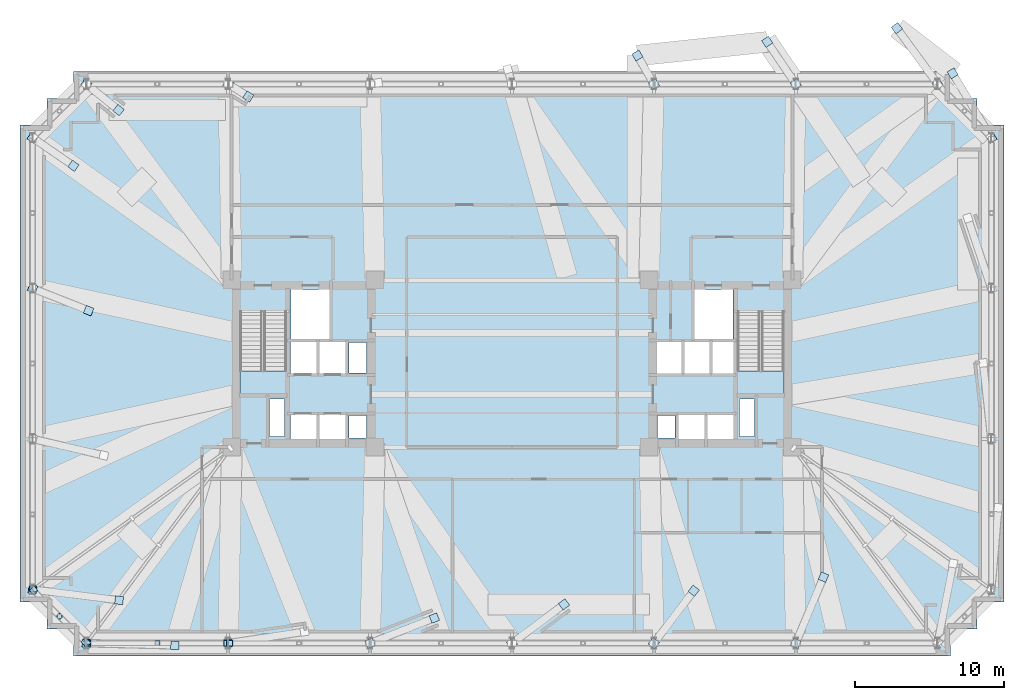
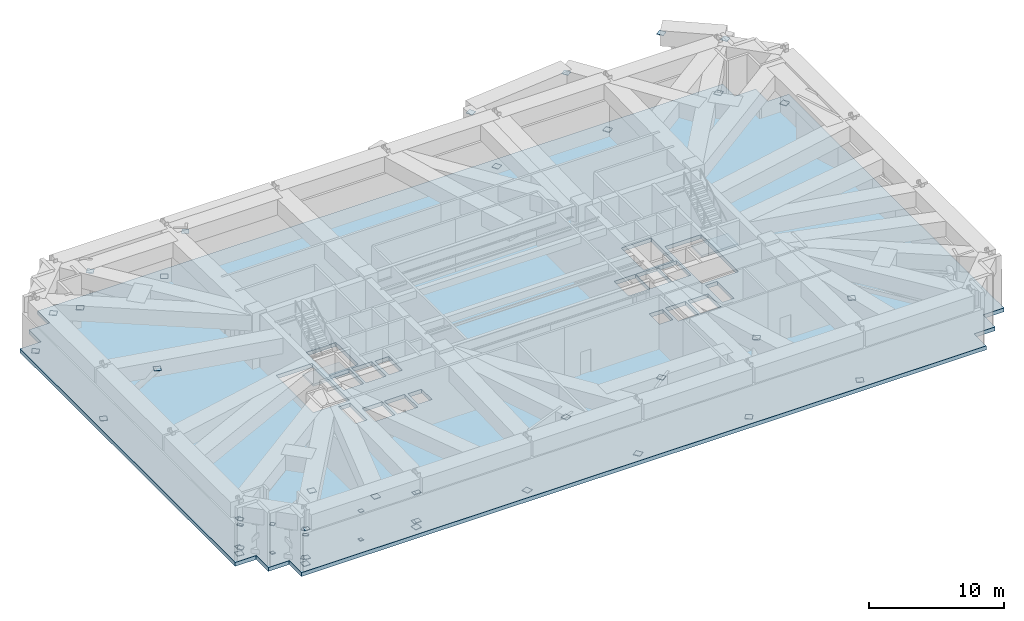
# One storey, part 12 of 20: 47 plates, 3 slabs, 2 elements without a shape of their own.
"""IFC4 building model written with IfcOpenShell, lengths in metres."""

from ifc_helpers import new_model, si_unit, direction, frame, origin, origin_2d, place, context, subcontext, project, spatial, polyline, rectangle, outline, extrude, material, layer, layer_set, type_object, element, aggregate, save


model = new_model("IFC4")

# Units and contexts
model_context = context("Model", 3, precision=1e-05, world=origin(), true_north=direction((0.0, 1.0)))
body_context = subcontext(model_context, "Body", "Model", "MODEL_VIEW")
ifc_project = project(units=[si_unit("LENGTHUNIT", "METRE"), si_unit("AREAUNIT", "SQUARE_METRE"), si_unit("VOLUMEUNIT", "CUBIC_METRE"), si_unit("PLANEANGLEUNIT", "RADIAN"), si_unit("MASSUNIT", "GRAM", prefix="KILO")], contexts=[model_context])

# Site, building, storey
site_placement = place(None, origin())
site = spatial("IfcSite", under=ifc_project, at=site_placement, CompositionType="ELEMENT")
building_placement = place(site_placement, origin())
building = spatial("IfcBuilding", under=site, at=building_placement, Name="Qobustan Lattice House", CompositionType="ELEMENT")
storey_placement = place(building_placement, frame((0.0, 0.0, 73.89990234375)))
storey = spatial("IfcBuildingStorey", under=building, at=storey_placement, Name="L20", CompositionType="ELEMENT", Elevation=73.89990234375)

# Plates
ifc_material_1 = material(Name="Steel S355", Category="steel")
ifc_layer_1 = layer(ifc_material_1, 0.030029296875)
ifc_layer_set_1 = layer_set([ifc_layer_1], Name="Steel S355")
plate_type = type_object("IfcPlateType", Name="PLT-CAP-25", PredefinedType="SHEET", material=ifc_layer_set_1)
for number, where, z_axis, x_axis, name in (
    (1, (-28.455078125, -18.75, 0.53515625), (0.0, 0.0, 1.0), (1.0, 0.0, 0.0), "L20 TT1 belt truss bottom chord S1-S2 end cap plate 1"),
    (2, (-19.12841796875, -18.75, 0.53515625), (0.0, 0.0, 1.0), (1.0, 0.0, 0.0), "L20 TT1 belt truss bottom chord S1-S2 end cap plate 2"),
):
    element("IfcPlate", number, at=place(storey_placement, frame(where, z_axis=z_axis, x_axis=x_axis)), inside=storey, type_object=plate_type, Name=name, PredefinedType="SHEET", context=body_context, shape_type="SweptSolid", body=[
        extrude(rectangle(XDim=0.43994140625, YDim=0.43994140625, at=origin_2d()), origin(), (0.0, 0.0, 1.0), 0.030029296875),
    ])
for number, where, z_axis, x_axis, name in (
    (3, (-28.455078125, -18.75, 3.125), (0.0, 0.0, 1.0), (1.0, 0.0, 0.0), "L20 TT1 belt truss top chord S1-S2 end cap plate 1"),
    (4, (-19.12841796875, -18.75, 3.125), (0.0, 0.0, 1.0), (1.0, 0.0, 0.0), "L20 TT1 belt truss top chord S1-S2 end cap plate 2"),
):
    element("IfcPlate", number, at=place(storey_placement, frame(where, z_axis=z_axis, x_axis=x_axis)), inside=storey, type_object=plate_type, Name=name, PredefinedType="SHEET", context=body_context, shape_type="SweptSolid", body=[
        extrude(rectangle(XDim=0.389892578125, YDim=0.389892578125, at=origin_2d()), origin(), (0.0, 0.0, 1.0), 0.030029296875),
    ])
plate_1_placement = place(storey_placement, frame((-23.787109375, -18.75, 3.12744140625), z_axis=(0.0, 0.0, 1.0), x_axis=(1.0, 0.0, 0.0)))
element("IfcPlate", 5, at=plate_1_placement, inside=storey, type_object=plate_type, Name="L20 TT1 belt truss web diagonal S1-S2 A end cap plate 2", PredefinedType="SHEET", context=body_context, shape_type="SweptSolid", body=[
    extrude(rectangle(XDim=0.340087890625, YDim=0.340087890625, at=origin_2d()), origin(), (0.0, 0.0, 1.0), 0.030029296875),
])
plate_2_placement = place(storey_placement, frame((-23.79150390625, -18.75, 0.5302734375), z_axis=(0.0, 0.0, 1.0), x_axis=(1.0, 0.0, 0.0)))
element("IfcPlate", 6, at=plate_2_placement, inside=storey, type_object=plate_type, Name="L20 TT1 belt truss vertical post S1-S2 end cap plate 1", PredefinedType="SHEET", context=body_context, shape_type="SweptSolid", body=[
    extrude(rectangle(XDim=0.2900390625, YDim=0.2900390625, at=origin_2d()), origin(), (0.0, 0.0, 1.0), 0.030029296875),
])
plate_3_placement = place(storey_placement, frame((-18.938232421875, -18.75, 0.53515625), z_axis=(0.0, 0.0, 1.0), x_axis=(1.0, 0.0, 0.0)))
element("IfcPlate", 7, at=plate_3_placement, inside=storey, type_object=plate_type, Name="L20 TT1 belt truss bottom chord S2-S3 end cap plate 1", PredefinedType="SHEET", context=body_context, shape_type="SweptSolid", body=[
    extrude(rectangle(XDim=0.43994140625, YDim=0.43994140625, at=origin_2d()), origin(), (0.0, 0.0, 1.0), 0.030029296875),
])
plate_4_placement = place(storey_placement, frame((-18.938232421875, -18.75, 3.125), z_axis=(0.0, 0.0, 1.0), x_axis=(1.0, 0.0, 0.0)))
element("IfcPlate", 8, at=plate_4_placement, inside=storey, type_object=plate_type, Name="L20 TT1 belt truss top chord S2-S3 end cap plate 1", PredefinedType="SHEET", context=body_context, shape_type="SweptSolid", body=[
    extrude(rectangle(XDim=0.389892578125, YDim=0.389892578125, at=origin_2d()), origin(), (0.0, 0.0, 1.0), 0.030029296875),
])
plate_5_placement = place(storey_placement, frame((-32.14990234375, -15.054931640625, 0.53515625), z_axis=(0.0, 0.0, 1.0), x_axis=(0.0, -1.0, 0.0)))
element("IfcPlate", 9, at=plate_5_placement, inside=storey, type_object=plate_type, Name="L20 TT1 belt truss bottom chord W3-W4 end cap plate 2", PredefinedType="SHEET", context=body_context, shape_type="SweptSolid", body=[
    extrude(rectangle(XDim=0.43994140625, YDim=0.43994140625, at=origin_2d()), origin(), (0.0, 0.0, 1.0), 0.030029296875),
])
plate_6_placement = place(storey_placement, frame((-32.14990234375, -15.054931640625, 3.125), z_axis=(0.0, 0.0, 1.0), x_axis=(0.0, -1.0, 0.0)))
element("IfcPlate", 10, at=plate_6_placement, inside=storey, type_object=plate_type, Name="L20 TT1 belt truss top chord W3-W4 end cap plate 2", PredefinedType="SHEET", context=body_context, shape_type="SweptSolid", body=[
    extrude(rectangle(XDim=0.389892578125, YDim=0.389892578125, at=origin_2d()), origin(), (0.0, 0.0, 1.0), 0.030029296875),
])
for number, where, z_axis, x_axis, name in (
    (11, (-32.082763671875, -15.21728515625, 0.53515625), (0.0, 0.0, 1.0), (0.707106781187, -0.707106781187, 0.0), "L20 TT1 belt truss bottom chord W4-S1 end cap plate 1"),
    (12, (-28.6171875, -18.682861328125, 0.53515625), (0.0, 0.0, 1.0), (0.707106781187, -0.707106781187, 0.0), "L20 TT1 belt truss bottom chord W4-S1 end cap plate 2"),
):
    element("IfcPlate", number, at=place(storey_placement, frame(where, z_axis=z_axis, x_axis=x_axis)), inside=storey, type_object=plate_type, Name=name, PredefinedType="SHEET", context=body_context, shape_type="SweptSolid", body=[
        extrude(rectangle(XDim=0.43994140625, YDim=0.43994140625, at=origin_2d()), origin(), (0.0, 0.0, 1.0), 0.030029296875),
    ])
for number, where, z_axis, x_axis, name in (
    (13, (-32.082763671875, -15.21728515625, 3.125), (0.0, 0.0, 1.0), (0.707106781187, -0.707106781187, 0.0), "L20 TT1 belt truss top chord W4-S1 end cap plate 1"),
    (14, (-28.6171875, -18.682861328125, 3.125), (0.0, 0.0, 1.0), (0.707106781187, -0.707106781187, 0.0), "L20 TT1 belt truss top chord W4-S1 end cap plate 2"),
):
    element("IfcPlate", number, at=place(storey_placement, frame(where, z_axis=z_axis, x_axis=x_axis)), inside=storey, type_object=plate_type, Name=name, PredefinedType="SHEET", context=body_context, shape_type="SweptSolid", body=[
        extrude(rectangle(XDim=0.389892578125, YDim=0.389892578125, at=origin_2d()), origin(), (0.0, 0.0, 1.0), 0.030029296875),
    ])
plate_7_placement = place(storey_placement, frame((-30.34765625, -16.952392578125, 3.12890625), z_axis=(0.0, 0.0, 1.0), x_axis=(0.707106781187, -0.707106781187, 0.0)))
element("IfcPlate", 15, at=plate_7_placement, inside=storey, type_object=plate_type, Name="L20 TT1 belt truss web diagonal W4-S1 A end cap plate 2", PredefinedType="SHEET", context=body_context, shape_type="SweptSolid", body=[
    extrude(rectangle(XDim=0.340087890625, YDim=0.340087890625, at=origin_2d()), origin(), (0.0, 0.0, 1.0), 0.030029296875),
])
plate_8_placement = place(storey_placement, frame((-30.35009765625, -16.949951171875, 0.5302734375), z_axis=(0.0, 0.0, 1.0), x_axis=(1.0, 0.0, 0.0)))
element("IfcPlate", 16, at=plate_8_placement, inside=storey, type_object=plate_type, Name="L20 TT1 belt truss vertical post W4-S1 end cap plate 1", PredefinedType="SHEET", context=body_context, shape_type="SweptSolid", body=[
    extrude(rectangle(XDim=0.2900390625, YDim=0.2900390625, at=origin_2d()), origin(), (0.0, 0.0, 1.0), 0.030029296875),
])
for number, where, z_axis, x_axis, name in (
    (17, (-28.55419921875, -18.75, -0.0029296875), (0.0, 0.0, 1.0), (0.999701063207, -0.024449626231, 0.0), "L20 TT1 column transfer strut S1 end cap plate 1"),
    (18, (-22.615478515625, -18.89501953125, 4.10791015625), (0.0, 0.0, 1.0), (0.999701063207, -0.024449626231, 0.0), "L20 TT1 column transfer strut S1 end cap plate 2"),
    (19, (-19.037109375, -18.75048828125, -0.0029296875), (0.0, 0.0, 1.0), (0.988873520862, 0.148758729957, 0.0), "L20 TT1 column transfer strut S2 end cap plate 1"),
    (20, (-9.520263671875, -18.75146484375, -0.00341796875), (0.0, 0.0, 1.0), (0.931157672378, 0.364616770282, 0.0), "L20 TT1 column transfer strut S3 end cap plate 1"),
    (21, (-5.2119140625, -17.064208984375, 4.1083984375), (0.0, 0.0, 1.0), (0.931157672378, 0.364616770282, 0.0), "L20 TT1 column transfer strut S3 end cap plate 2"),
    (22, (-0.0029296875, -18.752197265625, -0.00341796875), (0.0, 0.0, 1.0), (0.801775644244, 0.597625146976, 0.0), "L20 TT1 column transfer strut S4 end cap plate 1"),
    (23, (3.489501953125, -16.14892578125, 4.1083984375), (0.0, 0.0, 1.0), (0.801775644244, 0.597625146976, 0.0), "L20 TT1 column transfer strut S4 end cap plate 2"),
    (24, (9.514404296875, -18.7529296875, -0.00341796875), (0.0, 0.0, 1.0), (0.605349557991, 0.795959743103, 0.0), "L20 TT1 column transfer strut S5 end cap plate 1"),
    (25, (12.19091796875, -15.233642578125, 4.1083984375), (0.0, 0.0, 1.0), (0.605349557991, 0.795959743103, 0.0), "L20 TT1 column transfer strut S5 end cap plate 2"),
    (26, (19.03173828125, -18.75341796875, -0.0029296875), (0.0, 0.0, 1.0), (0.386839721413, 0.922146967645, 0.0), "L20 TT1 column transfer strut S6 end cap plate 1"),
    (27, (20.892333984375, -14.318359375, 4.1083984375), (0.0, 0.0, 1.0), (0.386839721413, 0.922146967645, 0.0), "L20 TT1 column transfer strut S6 end cap plate 2"),
    (28, (32.152099609375, 15.146728515625, -0.0029296875), (0.0, 0.0, 1.0), (-0.514843576563, 0.85728413707, 0.0), "L20 TT1 column transfer strut E4 end cap plate 1"),
    (29, (29.55419921875, 19.472412109375, 4.1083984375), (0.0, 0.0, 1.0), (-0.514843576563, 0.85728413707, 0.0), "L20 TT1 column transfer strut E4 end cap plate 2"),
    (30, (28.55224609375, 18.7470703125, -0.00341796875), (0.0, 0.0, 1.0), (-0.589139947582, 0.808031015594, 0.0), "L20 TT1 column transfer strut N1 end cap plate 1"),
    (31, (25.8173828125, 22.498046875, 4.1083984375), (0.0, 0.0, 1.0), (-0.589139947582, 0.808031015594, 0.0), "L20 TT1 column transfer strut N1 end cap plate 2"),
    (32, (19.03515625, 18.747314453125, -0.00390625), (0.0, 0.0, 1.0), (-0.560552277214, 0.82811904006, 0.0), "L20 TT1 column transfer strut N2 end cap plate 1"),
    (33, (17.115478515625, 21.5830078125, 4.10888671875), (0.0, 0.0, 1.0), (-0.560552277214, 0.82811904006, 0.0), "L20 TT1 column transfer strut N2 end cap plate 2"),
    (34, (9.517822265625, 18.747802734375, -0.00439453125), (0.0, 0.0, 1.0), (-0.498427217729, 0.866931547832, 0.0), "L20 TT1 column transfer strut N3 end cap plate 1"),
    (35, (8.4140625, 20.667724609375, 4.109375), (0.0, 0.0, 1.0), (-0.498427217729, 0.866931547832, 0.0), "L20 TT1 column transfer strut N3 end cap plate 2"),
    (36, (-19.034912109375, 18.7509765625, -0.00439453125), (0.0, 0.0, 1.0), (0.851086129097, -0.525026095407, 0.0), "L20 TT1 column transfer strut N6 end cap plate 1"),
    (37, (-17.689453125, 17.9208984375, 4.10986328125), (0.0, 0.0, 1.0), (0.851086129097, -0.525026095407, 0.0), "L20 TT1 column transfer strut N6 end cap plate 2"),
    (38, (-28.55224609375, 18.751708984375, -0.00390625), (0.0, 0.0, 1.0), (0.777848434107, -0.628451918254, 0.0), "L20 TT1 column transfer strut N7 end cap plate 1"),
    (39, (-26.390625, 17.00537109375, 4.109375), (0.0, 0.0, 1.0), (0.777848434107, -0.628451918254, 0.0), "L20 TT1 column transfer strut N7 end cap plate 2"),
    (40, (-32.152587890625, 15.15185546875, -0.00390625), (0.0, 0.0, 1.0), (0.823780036999, -0.566909561255, 0.0), "L20 TT1 column transfer strut W1 end cap plate 1"),
    (41, (-29.416259765625, 13.268798828125, 4.10888671875), (0.0, 0.0, 1.0), (0.823780036999, -0.566909561255, 0.0), "L20 TT1 column transfer strut W1 end cap plate 2"),
    (42, (-32.1533203125, 5.05126953125, -0.00341796875), (0.0, 0.0, 1.0), (0.929164834488, -0.369665673753, 0.0), "L20 TT1 column transfer strut W2 end cap plate 1"),
    (43, (-28.394775390625, 3.555908203125, 4.10888671875), (0.0, 0.0, 1.0), (0.929164834488, -0.369665673753, 0.0), "L20 TT1 column transfer strut W2 end cap plate 2"),
    (44, (-32.154052734375, -15.1494140625, -0.0029296875), (0.0, 0.0, 1.0), (0.992387924283, -0.123151158081, 0.0), "L20 TT1 column transfer strut W4 end cap plate 1"),
    (45, (-26.35205078125, -15.869384765625, 4.10791015625), (0.0, 0.0, 1.0), (0.992387924283, -0.123151158081, 0.0), "L20 TT1 column transfer strut W4 end cap plate 2"),
):
    element("IfcPlate", number, at=place(storey_placement, frame(where, z_axis=z_axis, x_axis=x_axis)), inside=storey, type_object=plate_type, Name=name, PredefinedType="SHEET", context=body_context, shape_type="SweptSolid", body=[
        extrude(rectangle(XDim=0.548095703125, YDim=0.548095703125, at=origin_2d()), origin(), (0.0, 0.0, 1.0), 0.030029296875),
    ])
for number, where, z_axis, x_axis, name in (
    (46, (-32.056396484375, -15.0830078125, 2.53515625), (0.0, 0.0, 1.0), (-0.813324220276, -0.581810718973, 0.0), "L20 TT1 outrigger chord OUT-WS end cap plate 2"),
    (47, (-28.4814453125, -18.65771484375, 2.53515625), (0.0, 0.0, 1.0), (-0.595594159769, -0.803285501456, 0.0), "L20 TT1 outrigger chord OUT-WN end cap plate 2"),
):
    element("IfcPlate", number, at=place(storey_placement, frame(where, z_axis=z_axis, x_axis=x_axis)), inside=storey, type_object=plate_type, Name=name, PredefinedType="SHEET", context=body_context, shape_type="SweptSolid", body=[
        extrude(rectangle(XDim=0.239990234375, YDim=0.43994140625, at=origin_2d()), origin(), (0.0, 0.0, 1.0), 0.030029296875),
    ])

# Slab
ifc_material_2 = material(Name="Concrete C50/60", Category="concrete")
ifc_layer_2 = layer(ifc_material_2, 0.35009765625)
ifc_layer_set_2 = layer_set([ifc_layer_2], Name="Concrete C50/60")
slab_type_1 = type_object("IfcSlabType", Name="SLB-FLR-350", PredefinedType="FLOOR", material=ifc_layer_set_2)
slab_1_placement = place(storey_placement, frame((0.0, 0.0, -0.349853515625)))
element("IfcSlab", 48, at=slab_1_placement, inside=storey, type_object=slab_type_1, Name="L20 structural floor slab", PredefinedType="FLOOR", context=body_context, shape_type="SweptSolid", body=[
    extrude(outline(polyline([(-29.39990234375, -19.60009765625), (29.39990234375, -19.60009765625), (29.39990234375, -17.800048828125), (31.199951171875, -17.800048828125), (31.199951171875, -16.0), (33.0, -16.0), (33.0, 16.0), (31.199951171875, 16.0), (31.199951171875, 17.800048828125), (29.39990234375, 17.800048828125), (29.39990234375, 19.60009765625), (-29.39990234375, 19.60009765625), (-29.39990234375, 17.800048828125), (-31.199951171875, 17.800048828125), (-31.199951171875, 16.0), (-33.0, 16.0), (-33.0, -16.0), (-31.199951171875, -16.0), (-31.199951171875, -17.800048828125), (-29.39990234375, -17.800048828125), (-29.39990234375, -19.60009765625)]), holes=[polyline([(-18.25, -2.050048828125), (-18.25, 3.489990234375), (-15.1298828125, 3.489990234375), (-15.1298828125, -2.050048828125), (-18.25, -2.050048828125)]), polyline([(15.1298828125, -2.050048828125), (15.1298828125, 3.489990234375), (18.25, 3.489990234375), (18.25, -2.050048828125), (15.1298828125, -2.050048828125)]), polyline([(-14.820068359375, 1.64990234375), (-14.820068359375, 4.9599609375), (-12.25, 4.9599609375), (-12.25, 1.64990234375), (-14.820068359375, 1.64990234375)]), polyline([(12.25, 1.64990234375), (12.25, 4.9599609375), (14.820068359375, 4.9599609375), (14.820068359375, 1.64990234375), (12.25, 1.64990234375)]), polyline([(-16.260009765625, -4.8798828125), (-16.260009765625, -2.360107421875), (-15.260009765625, -2.360107421875), (-15.260009765625, -4.8798828125), (-16.260009765625, -4.8798828125)]), polyline([(15.260009765625, -4.8798828125), (15.260009765625, -2.360107421875), (16.260009765625, -2.360107421875), (16.260009765625, -4.8798828125), (15.260009765625, -4.8798828125)]), polyline([(-14.85009765625, -5.35009765625), (-14.85009765625, -3.419921875), (-13.1201171875, -3.419921875), (-13.1201171875, -5.35009765625), (-14.85009765625, -5.35009765625)]), polyline([(-12.919921875, -5.35009765625), (-12.919921875, -3.419921875), (-11.179931640625, -3.419921875), (-11.179931640625, -5.35009765625), (-12.919921875, -5.35009765625)]), polyline([(-14.85009765625, -0.679931640625), (-14.85009765625, 1.47998046875), (-13.1201171875, 1.47998046875), (-13.1201171875, -0.679931640625), (-14.85009765625, -0.679931640625)]), polyline([(-12.919921875, -0.679931640625), (-12.919921875, 1.47998046875), (-11.179931640625, 1.47998046875), (-11.179931640625, -0.679931640625), (-12.919921875, -0.679931640625)]), polyline([(-10.93994140625, -5.0), (-10.93994140625, -3.47998046875), (-9.760009765625, -3.47998046875), (-9.760009765625, -5.0), (-10.93994140625, -5.0)]), polyline([(-10.93994140625, -0.6201171875), (-10.93994140625, 1.419921875), (-9.760009765625, 1.419921875), (-9.760009765625, -0.6201171875), (-10.93994140625, -0.6201171875)]), polyline([(11.179931640625, -5.35009765625), (11.179931640625, -3.419921875), (12.919921875, -3.419921875), (12.919921875, -5.35009765625), (11.179931640625, -5.35009765625)]), polyline([(13.1201171875, -5.35009765625), (13.1201171875, -3.419921875), (14.85009765625, -3.419921875), (14.85009765625, -5.35009765625), (13.1201171875, -5.35009765625)]), polyline([(9.760009765625, -5.0), (9.760009765625, -3.47998046875), (10.93994140625, -3.47998046875), (10.93994140625, -5.0), (9.760009765625, -5.0)]), polyline([(13.360107421875, -0.679931640625), (13.360107421875, 1.47998046875), (14.97998046875, 1.47998046875), (14.97998046875, -0.679931640625), (13.360107421875, -0.679931640625)]), polyline([(9.6201171875, -0.679931640625), (9.6201171875, 1.47998046875), (11.43994140625, 1.47998046875), (11.43994140625, -0.679931640625), (9.6201171875, -0.679931640625)]), polyline([(11.5, -0.679931640625), (11.5, 1.47998046875), (13.320068359375, 1.47998046875), (13.320068359375, -0.679931640625), (11.5, -0.679931640625)])]), origin(), (0.0, 0.0, 1.0), 0.349853515625),
])

# Stair, slab
ifc_material_3 = material(Name="Concrete C40/50", Category="concrete")
stair_type = type_object("IfcStairType", Name="STR-CORE-DOGLEG", PredefinedType="HALF_TURN_STAIR", material=ifc_material_3)
stair_1_placement = place(storey_placement, origin())
stair_1 = element("IfcStair", 49, at=stair_1_placement, inside=storey, type_object=stair_type, Name="L20 West protected exit stair ST-W1", PredefinedType="HALF_TURN_STAIR")
ifc_material_4 = material(Name="Concrete C40/50", Category="concrete")
ifc_layer_3 = layer(ifc_material_4, 0.199951171875)
ifc_layer_set_3 = layer_set([ifc_layer_3], Name="Concrete C40/50")
slab_type_2 = type_object("IfcSlabType", Name="SLB-LANDING-200", PredefinedType="LANDING", material=ifc_layer_set_3)
slab_2_placement = place(storey_placement, frame((0.0, 0.0, 2.35009765625)))
slab_2 = element("IfcSlab", 50, at=slab_2_placement, type_object=slab_type_2, Name="ST-W1 landing 1", PredefinedType="LANDING", context=body_context, shape_type="SweptSolid", body=[
    extrude(outline(polyline([(-18.25, -0.489990234375), (-18.25, -2.050048828125), (-15.1298828125, -2.050048828125), (-15.1298828125, -0.489990234375), (-18.25, -0.489990234375)])), origin(), (0.0, 0.0, 1.0), 0.199951171875),
])
aggregate(stair_1, [slab_2])

stair_2_placement = place(storey_placement, origin())
stair_2 = element("IfcStair", 51, at=stair_2_placement, inside=storey, type_object=stair_type, Name="L20 East protected exit stair ST-E1", PredefinedType="HALF_TURN_STAIR")
slab_3_placement = place(storey_placement, frame((0.0, 0.0, 2.35009765625)))
slab_3 = element("IfcSlab", 52, at=slab_3_placement, type_object=slab_type_2, Name="ST-E1 landing 1", PredefinedType="LANDING", context=body_context, shape_type="SweptSolid", body=[
    extrude(outline(polyline([(15.1298828125, -0.489990234375), (15.1298828125, -2.050048828125), (18.25, -2.050048828125), (18.25, -0.489990234375), (15.1298828125, -0.489990234375)])), origin(), (0.0, 0.0, 1.0), 0.199951171875),
])
aggregate(stair_2, [slab_3])

save(model, "model.ifc")
